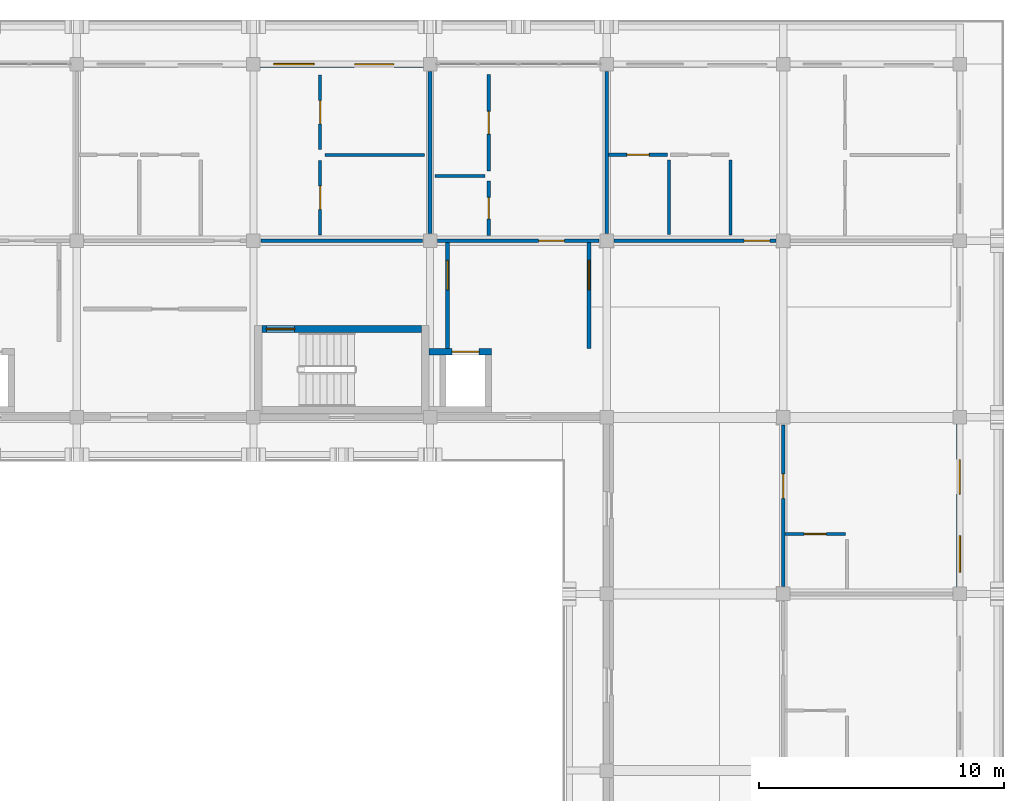
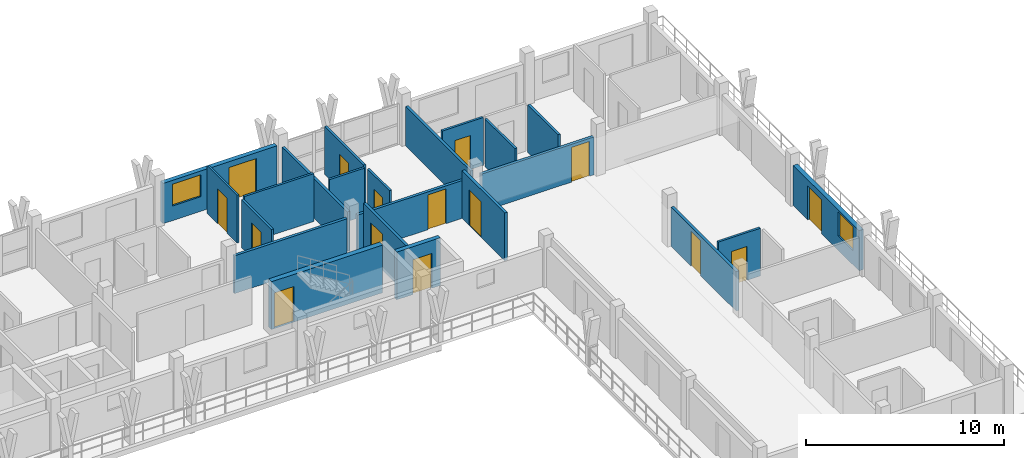
# One storey, part 51 of 65: 22 walls, 15 doors, 2 windows, 17 openings.
"""IFC4 building model written with IfcOpenShell, lengths in metres."""

from ifc_helpers import new_model, si_unit, direction, frame, frame_2d, origin, place, context, subcontext, project, spatial, rectangle, extrude, material, layer, layer_set, type_object, element, fill, save


model = new_model("IFC4")

# Units and contexts
model_context = context("Model", 3, precision=1e-05, world=origin(), true_north=direction((0.0, 1.0)))
body_context = subcontext(model_context, "Body", "Model", "MODEL_VIEW")
ifc_project = project(units=[si_unit("LENGTHUNIT", "METRE"), si_unit("AREAUNIT", "SQUARE_METRE"), si_unit("VOLUMEUNIT", "CUBIC_METRE"), si_unit("PLANEANGLEUNIT", "RADIAN"), si_unit("MASSUNIT", "GRAM", prefix="KILO")], contexts=[model_context])

# Site, building, storey
site_placement = place(None, origin())
site = spatial("IfcSite", under=ifc_project, at=site_placement, CompositionType="ELEMENT")
building_placement = place(site_placement, origin())
building = spatial("IfcBuilding", under=site, at=building_placement, Name="Suanplinth Sawtooth Commons", CompositionType="ELEMENT")
storey_placement = place(building_placement, frame((0.0, 0.0, 28.300048828125)))
storey = spatial("IfcBuildingStorey", under=building, at=storey_placement, Name="L08", CompositionType="ELEMENT", Elevation=28.300048828125)

# Wall, opening, door
ifc_material_1 = material(Name="Concrete C40/50", Category="concrete")
ifc_layer_1 = layer(ifc_material_1, 0.300048828125, Name="Standard RC stair and lift core wall 300mm")
ifc_layer_set_1 = layer_set([ifc_layer_1], Name="Concrete C40/50")
wall_type_1 = type_object("IfcWallType", Name="W-CR02", PredefinedType="SHEAR", material=ifc_layer_set_1)
wall_1_placement = place(storey_placement, frame((158.75, 111.60009765625, 0.0), z_axis=(0.0, 0.0, 1.0), x_axis=(1.0, 0.0, 0.0)))
wall_1 = element("IfcWall", 1, at=wall_1_placement, inside=storey, type_object=wall_type_1, Name="W-L08-C-B2-STN", PredefinedType="SHEAR", context=body_context, shape_type="SweptSolid", body=[
    extrude(rectangle(XDim=6.5, YDim=0.300048828125, at=frame_2d((3.25, 0.0))), origin(), (0.0, 0.0, 1.0), 2.949951171875),
])
opening_1_placement = place(wall_1_placement, frame((0.179931640625, 0.0, 0.0)))
opening_1 = element("IfcOpeningElement", 2, at=opening_1_placement, cuts=wall_1, Name="Opening FD0256", PredefinedType="OPENING", context=body_context, shape_type="SweptSolid", body=[
    extrude(rectangle(XDim=1.14990234375, YDim=2.199951171875, at=frame_2d((0.574951171875, 1.10009765625))), frame((0.0, 0.1650390625, 0.0), z_axis=(0.0, -1.0, 0.0), x_axis=(1.0, 0.0, 0.0)), (0.0, 0.0, 1.0), 0.329833984375),
])
ifc_material_2 = material(Name="Teak hardwood fire-rated door assembly", Category="wood")
door_type_1 = type_object("IfcDoorType", Name="FD-01", OperationType="NOTDEFINED", PredefinedType="DOOR", material=ifc_material_2)
door_1_placement = place(opening_1_placement, frame((1.14990234375, 0.0, 0.0), z_axis=(0.0, 0.0, 1.0), x_axis=(-1.0, 0.0, 0.0)))
door_1 = element("IfcDoor", 3, at=door_1_placement, inside=storey, type_object=door_type_1, Name="Exit Stair Fire Door FD0256", OperationType="SINGLE_SWING_RIGHT", OverallHeight=2.199951171875, OverallWidth=1.14990234375, PredefinedType="DOOR", context=body_context, shape_type="SweptSolid", body=[
    extrude(rectangle(XDim=1.14990234375, YDim=2.199951171875, at=frame_2d((0.574951171875, 1.10009765625))), frame((0.0, 0.02490234375, 0.0), z_axis=(0.0, -1.0, 0.0), x_axis=(1.0, 0.0, 0.0)), (0.0, 0.0, 1.0), 0.050048828125),
])
fill(opening_1, door_1)

# Wall, openings, door, window
ifc_material_3 = material(Name="Precast concrete C40/50", Category="concrete")
ifc_layer_2 = layer(ifc_material_3, 0.260009765625, Name="Insulated precast courtyard facade wall 260mm")
ifc_layer_set_2 = layer_set([ifc_layer_2], Name="Precast concrete C40/50")
wall_type_2 = type_object("IfcWallType", Name="W-EX02", PredefinedType="ELEMENTEDWALL", material=ifc_layer_set_2)
wall_2_placement = place(storey_placement, frame((158.675048828125, 122.39990234375, 0.0), z_axis=(0.0, 0.0, 1.0), x_axis=(1.0, 0.0, 0.0)))
wall_2 = element("IfcWall", 4, at=wall_2_placement, inside=storey, type_object=wall_type_2, Name="Facade Wall W-L08-B-N-22-16", PredefinedType="ELEMENTEDWALL", context=body_context, shape_type="SweptSolid", body=[
    extrude(rectangle(XDim=6.64990234375, YDim=0.260009765625, at=frame_2d((3.324951171875, 0.0))), origin(), (0.0, 0.0, 1.0), 2.48486328125),
])
opening_2_placement = place(wall_2_placement, frame((3.85009765625, 0.0, 0.0)))
opening_2 = element("IfcOpeningElement", 5, at=opening_2_placement, cuts=wall_2, Name="Opening ED0648", PredefinedType="OPENING", context=body_context, shape_type="SweptSolid", body=[
    extrude(rectangle(XDim=1.60009765625, YDim=2.1201171875, at=frame_2d((0.800048828125, 1.06005859375))), frame((0.0, 0.14501953125, 0.0), z_axis=(0.0, -1.0, 0.0), x_axis=(1.0, 0.0, 0.0)), (0.0, 0.0, 1.0), 0.289794921875),
])
opening_3_placement = place(wall_2_placement, frame((0.550048828125, 0.0, 0.89990234375)))
opening_3 = element("IfcOpeningElement", 6, at=opening_3_placement, cuts=wall_2, Name="Opening W0731", PredefinedType="OPENING", context=body_context, shape_type="SweptSolid", body=[
    extrude(rectangle(XDim=1.64990234375, YDim=1.35009765625, at=frame_2d((0.824951171875, 0.675048828125))), frame((0.0, 0.14501953125, 0.0), z_axis=(0.0, -1.0, 0.0), x_axis=(1.0, 0.0, 0.0)), (0.0, 0.0, 1.0), 0.289794921875),
])
ifc_material_4 = material(Name="Anodized aluminium and low-E glass", Category="aluminium")
door_type_2 = type_object("IfcDoorType", Name="SD-02", OperationType="SLIDING_TO_RIGHT", PredefinedType="DOOR", material=ifc_material_4)
door_2_placement = place(opening_2_placement, frame((1.60009765625, 0.0, 0.0), z_axis=(0.0, 0.0, 1.0), x_axis=(-1.0, 0.0, 0.0)))
door_2 = element("IfcDoor", 7, at=door_2_placement, inside=storey, type_object=door_type_2, Name="Balcony Sliding Door L08-B-22", OperationType="SLIDING_TO_RIGHT", OverallHeight=2.1201171875, OverallWidth=1.60009765625, PredefinedType="DOOR", context=body_context, shape_type="SweptSolid", body=[
    extrude(rectangle(XDim=1.60009765625, YDim=2.1201171875, at=frame_2d((0.800048828125, 1.06005859375))), frame((0.0, 0.02490234375, 0.0), z_axis=(0.0, -1.0, 0.0), x_axis=(1.0, 0.0, 0.0)), (0.0, 0.0, 1.0), 0.050048828125),
])
fill(opening_2, door_2)
ifc_material_5 = material(Name="Thermally broken aluminium and low-E double glazing", Category="aluminium")
window_type_1 = type_object("IfcWindowType", Name="WN-19", PartitioningType="DOUBLE_PANEL_VERTICAL", PredefinedType="WINDOW", material=ifc_material_5)
window_1_placement = place(opening_3_placement, origin())
window_1 = element("IfcWindow", 8, at=window_1_placement, inside=storey, type_object=window_type_1, Name="Apartment Window L08-B-22", OverallHeight=1.35009765625, OverallWidth=1.64990234375, PartitioningType="DOUBLE_PANEL_VERTICAL", PredefinedType="WINDOW", context=body_context, shape_type="SweptSolid", body=[
    extrude(rectangle(XDim=1.64990234375, YDim=1.35009765625, at=frame_2d((0.824951171875, 0.675048828125))), frame((0.0, 0.030029296875, 0.0), z_axis=(0.0, -1.0, 0.0), x_axis=(1.0, 0.0, 0.0)), (0.0, 0.0, 1.0), 0.06005859375),
])
fill(opening_3, window_1)

wall_3_placement = place(storey_placement, frame((187.199951171875, 101.074951171875, 0.0), z_axis=(0.0, 0.0, 1.0), x_axis=(0.0, 1.0, 0.0)))
wall_3 = element("IfcWall", 9, at=wall_3_placement, inside=storey, type_object=wall_type_2, Name="Facade Wall W-L08-B-E-25-14", PredefinedType="ELEMENTEDWALL", context=body_context, shape_type="SweptSolid", body=[
    extrude(rectangle(XDim=6.650146484375, YDim=0.260009765625, at=frame_2d((3.3251953125, 0.0))), origin(), (0.0, 0.0, 1.0), 2.48486328125),
])
opening_4_placement = place(wall_3_placement, frame((3.800048828125, 0.0, 0.0)))
opening_4 = element("IfcOpeningElement", 10, at=opening_4_placement, cuts=wall_3, Name="Opening ED0656", PredefinedType="OPENING", context=body_context, shape_type="SweptSolid", body=[
    extrude(rectangle(XDim=1.39990234375, YDim=2.10009765625, at=frame_2d((0.699951171875, 1.050048828125))), frame((0.0, 0.14501953125, 0.0), z_axis=(0.0, -1.0, 0.0), x_axis=(1.0, 0.0, 0.0)), (0.0, 0.0, 1.0), 0.289794921875),
])
opening_5_placement = place(wall_3_placement, frame((0.60009765625, 0.0, 0.875)))
opening_5 = element("IfcOpeningElement", 11, at=opening_5_placement, cuts=wall_3, Name="Opening W0737", PredefinedType="OPENING", context=body_context, shape_type="SweptSolid", body=[
    extrude(rectangle(XDim=1.5, YDim=1.5, at=frame_2d((0.75, 0.75))), frame((0.0, 0.14501953125, 0.0), z_axis=(0.0, -1.0, 0.0), x_axis=(1.0, 0.0, 0.0)), (0.0, 0.0, 1.0), 0.289794921875),
])
door_type_3 = type_object("IfcDoorType", Name="SD-07", OperationType="SLIDING_TO_RIGHT", PredefinedType="DOOR", material=ifc_material_4)
door_3_placement = place(opening_4_placement, frame((1.39990234375, 0.0, 0.0), z_axis=(0.0, 0.0, 1.0), x_axis=(-1.0, 0.0, 0.0)))
door_3 = element("IfcDoor", 12, at=door_3_placement, inside=storey, type_object=door_type_3, Name="Wing Balcony Sliding Door L08-B-14", OperationType="SLIDING_TO_RIGHT", OverallHeight=2.10009765625, OverallWidth=1.39990234375, PredefinedType="DOOR", context=body_context, shape_type="SweptSolid", body=[
    extrude(rectangle(XDim=1.39990234375, YDim=2.10009765625, at=frame_2d((0.699951171875, 1.050048828125))), frame((0.0, 0.02490234375, 0.0), z_axis=(0.0, -1.0, 0.0), x_axis=(1.0, 0.0, 0.0)), (0.0, 0.0, 1.0), 0.050048828125),
])
fill(opening_4, door_3)
window_type_2 = type_object("IfcWindowType", Name="WN-02", PartitioningType="DOUBLE_PANEL_VERTICAL", PredefinedType="WINDOW", material=ifc_material_5)
window_2_placement = place(opening_5_placement, origin())
window_2 = element("IfcWindow", 13, at=window_2_placement, inside=storey, type_object=window_type_2, Name="Wing Window L08-B-14", OverallHeight=1.5, OverallWidth=1.5, PartitioningType="DOUBLE_PANEL_VERTICAL", PredefinedType="WINDOW", context=body_context, shape_type="SweptSolid", body=[
    extrude(rectangle(XDim=1.5, YDim=1.5, at=frame_2d((0.75, 0.75))), frame((0.0, 0.030029296875, 0.0), z_axis=(0.0, -1.0, 0.0), x_axis=(1.0, 0.0, 0.0)), (0.0, 0.0, 1.0), 0.06005859375),
])
fill(opening_5, window_2)

# Wall, opening, door
ifc_layer_3 = layer(ifc_material_3, 0.159912109375, Name="Fire-rated corridor and lobby wall 160mm")
ifc_layer_set_3 = layer_set([ifc_layer_3], Name="Precast concrete C40/50")
wall_type_3 = type_object("IfcWallType", Name="W-FW01", PredefinedType="PARTITIONING", material=ifc_layer_set_3)
wall_4_placement = place(storey_placement, frame((166.320068359375, 110.800048828125, 0.0), z_axis=(0.0, 0.0, 1.0), x_axis=(0.0, 1.0, 0.0)))
wall_4 = element("IfcWall", 14, at=wall_4_placement, inside=storey, type_object=wall_type_3, Name="W-L08-C-B2-LOB-W", PredefinedType="PARTITIONING", context=body_context, shape_type="SweptSolid", body=[
    extrude(rectangle(XDim=4.320068359375, YDim=0.159912109375, at=frame_2d((2.16015625, 0.0))), origin(), (0.0, 0.0, 1.0), 2.949951171875),
])
opening_6_placement = place(wall_4_placement, frame((2.39990234375, 0.0, 0.0)))
opening_6 = element("IfcOpeningElement", 15, at=opening_6_placement, cuts=wall_4, Name="Opening FD0257", PredefinedType="OPENING", context=body_context, shape_type="SweptSolid", body=[
    extrude(rectangle(XDim=1.199951171875, YDim=2.199951171875, at=frame_2d((0.60009765625, 1.10009765625))), frame((0.0, 0.0947265625, 0.0), z_axis=(0.0, -1.0, 0.0), x_axis=(1.0, 0.0, 0.0)), (0.0, 0.0, 1.0), 0.189697265625),
])
door_type_4 = type_object("IfcDoorType", Name="FD-02", OperationType="NOTDEFINED", PredefinedType="DOOR", material=ifc_material_2)
door_4_placement = place(opening_6_placement, origin())
door_4 = element("IfcDoor", 16, at=door_4_placement, inside=storey, type_object=door_type_4, Name="Lobby Fire Door FD0257", OperationType="SINGLE_SWING_LEFT", OverallHeight=2.199951171875, OverallWidth=1.199951171875, PredefinedType="DOOR", context=body_context, shape_type="SweptSolid", body=[
    extrude(rectangle(XDim=1.199951171875, YDim=2.199951171875, at=frame_2d((0.60009765625, 1.10009765625))), frame((0.0, 0.02490234375, 0.0), z_axis=(0.0, -1.0, 0.0), x_axis=(1.0, 0.0, 0.0)), (0.0, 0.0, 1.0), 0.050048828125),
])
fill(opening_6, door_4)

wall_5_placement = place(storey_placement, frame((172.080078125, 110.800048828125, 0.0), z_axis=(0.0, 0.0, 1.0), x_axis=(0.0, 1.0, 0.0)))
wall_5 = element("IfcWall", 17, at=wall_5_placement, inside=storey, type_object=wall_type_3, Name="W-L08-C-B2-LOB-E", PredefinedType="PARTITIONING", context=body_context, shape_type="SweptSolid", body=[
    extrude(rectangle(XDim=4.320068359375, YDim=0.159912109375, at=frame_2d((2.16015625, 0.0))), origin(), (0.0, 0.0, 1.0), 2.949951171875),
])
opening_7_placement = place(wall_5_placement, frame((2.39990234375, 0.0, 0.0)))
opening_7 = element("IfcOpeningElement", 18, at=opening_7_placement, cuts=wall_5, Name="Opening FD0258", PredefinedType="OPENING", context=body_context, shape_type="SweptSolid", body=[
    extrude(rectangle(XDim=1.199951171875, YDim=2.199951171875, at=frame_2d((0.60009765625, 1.10009765625))), frame((0.0, 0.0947265625, 0.0), z_axis=(0.0, -1.0, 0.0), x_axis=(1.0, 0.0, 0.0)), (0.0, 0.0, 1.0), 0.189697265625),
])
door_5_placement = place(opening_7_placement, frame((1.199951171875, 0.0, 0.0), z_axis=(0.0, 0.0, 1.0), x_axis=(-1.0, 0.0, 0.0)))
door_5 = element("IfcDoor", 19, at=door_5_placement, inside=storey, type_object=door_type_4, Name="Lobby Fire Door FD0258", OperationType="SINGLE_SWING_RIGHT", OverallHeight=2.199951171875, OverallWidth=1.199951171875, PredefinedType="DOOR", context=body_context, shape_type="SweptSolid", body=[
    extrude(rectangle(XDim=1.199951171875, YDim=2.199951171875, at=frame_2d((0.60009765625, 1.10009765625))), frame((0.0, 0.02490234375, 0.0), z_axis=(0.0, -1.0, 0.0), x_axis=(1.0, 0.0, 0.0)), (0.0, 0.0, 1.0), 0.050048828125),
])
fill(opening_7, door_5)

# Wall
wall_6_placement = place(storey_placement, frame((158.705078125, 115.199951171875, 0.0), z_axis=(0.0, 0.0, 1.0), x_axis=(1.0, 0.0, 0.0)))
element("IfcWall", 20, at=wall_6_placement, inside=storey, type_object=wall_type_3, Name="W-B-L08-U03-COR-S2", PredefinedType="PARTITIONING", context=body_context, shape_type="SweptSolid", body=[
    extrude(rectangle(XDim=6.58984375, YDim=0.159912109375, at=frame_2d((3.294921875, 0.0))), origin(), (0.0, 0.0, 1.0), 2.3349609375),
])

# Wall, opening, door
wall_7_placement = place(storey_placement, frame((165.905029296875, 115.199951171875, 0.0), z_axis=(0.0, 0.0, 1.0), x_axis=(1.0, 0.0, 0.0)))
wall_7 = element("IfcWall", 21, at=wall_7_placement, inside=storey, type_object=wall_type_3, Name="W-B-L08-U04-COR", PredefinedType="PARTITIONING", context=body_context, shape_type="SweptSolid", body=[
    extrude(rectangle(XDim=6.590087890625, YDim=0.159912109375, at=frame_2d((3.294921875, 0.0))), origin(), (0.0, 0.0, 1.0), 2.3349609375),
])
opening_8_placement = place(wall_7_placement, frame((4.1201171875, 0.0, 0.0)))
opening_8 = element("IfcOpeningElement", 22, at=opening_8_placement, cuts=wall_7, Name="Opening FD1682", PredefinedType="OPENING", context=body_context, shape_type="SweptSolid", body=[
    extrude(rectangle(XDim=1.050048828125, YDim=2.14990234375, at=frame_2d((0.52490234375, 1.074951171875))), frame((0.0, 0.0947265625, 0.0), z_axis=(0.0, -1.0, 0.0), x_axis=(1.0, 0.0, 0.0)), (0.0, 0.0, 1.0), 0.189697265625),
])
door_type_5 = type_object("IfcDoorType", Name="FD-04", OperationType="NOTDEFINED", PredefinedType="DOOR", material=ifc_material_2)
door_6_placement = place(opening_8_placement, origin())
door_6 = element("IfcDoor", 23, at=door_6_placement, inside=storey, type_object=door_type_5, Name="Unit Entrance Door FD1682", OperationType="SINGLE_SWING_RIGHT", OverallHeight=2.14990234375, OverallWidth=1.050048828125, PredefinedType="DOOR", context=body_context, shape_type="SweptSolid", body=[
    extrude(rectangle(XDim=1.050048828125, YDim=2.14990234375, at=frame_2d((0.52490234375, 1.074951171875))), frame((0.0, 0.02490234375, 0.0), z_axis=(0.0, -1.0, 0.0), x_axis=(1.0, 0.0, 0.0)), (0.0, 0.0, 1.0), 0.050048828125),
])
fill(opening_8, door_6)

wall_8_placement = place(storey_placement, frame((173.10498046875, 115.199951171875, 0.0), z_axis=(0.0, 0.0, 1.0), x_axis=(1.0, 0.0, 0.0)))
wall_8 = element("IfcWall", 24, at=wall_8_placement, inside=storey, type_object=wall_type_3, Name="W-B-L08-U05-COR-S1", PredefinedType="PARTITIONING", context=body_context, shape_type="SweptSolid", body=[
    extrude(rectangle(XDim=6.590087890625, YDim=0.159912109375, at=frame_2d((3.294921875, 0.0))), origin(), (0.0, 0.0, 1.0), 2.3349609375),
])
opening_9_placement = place(wall_8_placement, frame((5.300048828125, 0.0, 0.0)))
opening_9 = element("IfcOpeningElement", 25, at=opening_9_placement, cuts=wall_8, Name="Opening FD1685", PredefinedType="OPENING", context=body_context, shape_type="SweptSolid", body=[
    extrude(rectangle(XDim=1.050048828125, YDim=2.14990234375, at=frame_2d((0.52490234375, 1.074951171875))), frame((0.0, 0.0947265625, 0.0), z_axis=(0.0, -1.0, 0.0), x_axis=(1.0, 0.0, 0.0)), (0.0, 0.0, 1.0), 0.189697265625),
])
door_7_placement = place(opening_9_placement, origin())
door_7 = element("IfcDoor", 26, at=door_7_placement, inside=storey, type_object=door_type_5, Name="Unit Entrance Door FD1685", OperationType="SINGLE_SWING_LEFT", OverallHeight=2.14990234375, OverallWidth=1.050048828125, PredefinedType="DOOR", context=body_context, shape_type="SweptSolid", body=[
    extrude(rectangle(XDim=1.050048828125, YDim=2.14990234375, at=frame_2d((0.52490234375, 1.074951171875))), frame((0.0, 0.02490234375, 0.0), z_axis=(0.0, -1.0, 0.0), x_axis=(1.0, 0.0, 0.0)), (0.0, 0.0, 1.0), 0.050048828125),
])
fill(opening_9, door_7)

wall_9_placement = place(storey_placement, frame((180.0, 101.10498046875, 0.0), z_axis=(0.0, 0.0, 1.0), x_axis=(0.0, 1.0, 0.0)))
wall_9 = element("IfcWall", 27, at=wall_9_placement, inside=storey, type_object=wall_type_3, Name="W-B-L08-L03-COR", PredefinedType="PARTITIONING", context=body_context, shape_type="SweptSolid", body=[
    extrude(rectangle(XDim=6.590087890625, YDim=0.159912109375, at=frame_2d((3.294921875, 0.0))), origin(), (0.0, 0.0, 1.0), 2.43505859375),
])
opening_10_placement = place(wall_9_placement, frame((3.594970703125, 0.0, 0.0)))
opening_10 = element("IfcOpeningElement", 28, at=opening_10_placement, cuts=wall_9, Name="Opening FD1698", PredefinedType="OPENING", context=body_context, shape_type="SweptSolid", body=[
    extrude(rectangle(XDim=1.0, YDim=2.14990234375, at=frame_2d((0.5, 1.074951171875))), frame((0.0, 0.0947265625, 0.0), z_axis=(0.0, -1.0, 0.0), x_axis=(1.0, 0.0, 0.0)), (0.0, 0.0, 1.0), 0.189697265625),
])
door_type_6 = type_object("IfcDoorType", Name="FD-03", OperationType="NOTDEFINED", PredefinedType="DOOR", material=ifc_material_2)
door_8_placement = place(opening_10_placement, frame((1.0, 0.0, 0.0), z_axis=(0.0, 0.0, 1.0), x_axis=(-1.0, 0.0, 0.0)))
door_8 = element("IfcDoor", 29, at=door_8_placement, inside=storey, type_object=door_type_6, Name="Wing Unit Entrance Door FD1698", OperationType="SINGLE_SWING_RIGHT", OverallHeight=2.14990234375, OverallWidth=1.0, PredefinedType="DOOR", context=body_context, shape_type="SweptSolid", body=[
    extrude(rectangle(XDim=1.0, YDim=2.14990234375, at=frame_2d((0.5, 1.074951171875))), frame((0.0, 0.02490234375, 0.0), z_axis=(0.0, -1.0, 0.0), x_axis=(1.0, 0.0, 0.0)), (0.0, 0.0, 1.0), 0.050048828125),
])
fill(opening_10, door_8)

# Walls
ifc_layer_4 = layer(ifc_material_3, 0.14990234375, Name="Acoustic precast party demising wall 150mm")
ifc_layer_set_4 = layer_set([ifc_layer_4], Name="Precast concrete C40/50")
wall_type_4 = type_object("IfcWallType", Name="W-FW02", PredefinedType="PARTITIONING", material=ifc_layer_set_4)
for number, where, z_axis, x_axis, name in (
    (30, (165.60009765625, 115.5048828125, 0.0), (0.0, 0.0, 1.0), (0.0, 1.0, 0.0), "W-B-L08-U03-PTY"),
    (31, (172.800048828125, 115.5048828125, 0.0), (0.0, 0.0, 1.0), (0.0, 1.0, 0.0), "W-B-L08-U04-PTY"),
):
    element("IfcWall", number, at=place(storey_placement, frame(where, z_axis=z_axis, x_axis=x_axis)), inside=storey, type_object=wall_type_4, Name=name, PredefinedType="PARTITIONING", context=body_context, shape_type="SweptSolid", body=[
        extrude(rectangle(XDim=6.590087890625, YDim=0.14990234375, at=frame_2d((3.294921875, 0.0))), origin(), (0.0, 0.0, 1.0), 2.43505859375),
    ])

# Wall, opening, door
ifc_material_6 = material(Name="Gypsum plasterboard on steel stud", Category="steel")
ifc_layer_5 = layer(ifc_material_6, 0.139892578125, Name="Fire-rated kitchen partition 140mm")
ifc_layer_set_5 = layer_set([ifc_layer_5], Name="Gypsum plasterboard on steel stud")
wall_type_5 = type_object("IfcWallType", Name="W-PT01", PredefinedType="PARTITIONING", material=ifc_layer_set_5)
wall_10_placement = place(storey_placement, frame((167.9951171875, 118.0400390625, 0.0), z_axis=(0.0, 0.0, 1.0), x_axis=(0.0, 1.0, 0.0)))
wall_10 = element("IfcWall", 32, at=wall_10_placement, inside=storey, type_object=wall_type_5, Name="W-B-L08-U04-KITE", PredefinedType="PARTITIONING", context=body_context, shape_type="SweptSolid", body=[
    extrude(rectangle(XDim=3.93994140625, YDim=0.139892578125, at=frame_2d((1.969970703125, 0.0))), origin(), (0.0, 0.0, 1.0), 2.949951171875),
])
opening_11_placement = place(wall_10_placement, frame((1.5048828125, 0.0, 0.0)))
opening_11 = element("IfcOpeningElement", 33, at=opening_11_placement, cuts=wall_10, Name="Opening D1684", PredefinedType="OPENING", context=body_context, shape_type="SweptSolid", body=[
    extrude(rectangle(XDim=0.929931640625, YDim=2.139892578125, at=frame_2d((0.46484375, 1.06982421875))), frame((0.0, 0.0849609375, 0.0), z_axis=(0.0, -1.0, 0.0), x_axis=(1.0, 0.0, 0.0)), (0.0, 0.0, 1.0), 0.169677734375),
])
ifc_material_7 = material(Name="Teak hardwood", Category="wood")
door_type_7 = type_object("IfcDoorType", Name="D-19", OperationType="NOTDEFINED", PredefinedType="DOOR", material=ifc_material_7)
door_9_placement = place(opening_11_placement, origin())
door_9 = element("IfcDoor", 34, at=door_9_placement, inside=storey, type_object=door_type_7, Name="Kitchen Door D1684", OperationType="SINGLE_SWING_RIGHT", OverallHeight=2.139892578125, OverallWidth=0.929931640625, PredefinedType="DOOR", context=body_context, shape_type="SweptSolid", body=[
    extrude(rectangle(XDim=0.929931640625, YDim=2.139892578125, at=frame_2d((0.46484375, 1.06982421875))), frame((0.0, 0.02490234375, 0.0), z_axis=(0.0, -1.0, 0.0), x_axis=(1.0, 0.0, 0.0)), (0.0, 0.0, 1.0), 0.050048828125),
])
fill(opening_11, door_9)

# Walls
wall_11_placement = place(storey_placement, frame((177.85009765625, 115.429931640625, 0.0), z_axis=(0.0, 0.0, 1.0), x_axis=(0.0, 1.0, 0.0)))
element("IfcWall", 35, at=wall_11_placement, inside=storey, type_object=wall_type_5, Name="W-B-L08-U05-KIT2", PredefinedType="PARTITIONING", context=body_context, shape_type="SweptSolid", body=[
    extrude(rectangle(XDim=3.06005859375, YDim=0.139892578125, at=frame_2d((1.530029296875, 0.0))), origin(), (0.0, 0.0, 1.0), 2.949951171875),
])
ifc_layer_6 = layer(ifc_material_6, 0.1298828125, Name="Moisture-resistant bathroom partition 130mm")
ifc_layer_set_6 = layer_set([ifc_layer_6], Name="Gypsum plasterboard on steel stud")
wall_type_6 = type_object("IfcWallType", Name="W-PT02", PredefinedType="PARTITIONING", material=ifc_layer_set_6)
wall_12_placement = place(storey_placement, frame((165.800048828125, 117.840087890625, 0.0), z_axis=(0.0, 0.0, 1.0), x_axis=(1.0, 0.0, 0.0)))
element("IfcWall", 36, at=wall_12_placement, inside=storey, type_object=wall_type_6, Name="W-B-L08-U04-STDIV", PredefinedType="PARTITIONING", context=body_context, shape_type="SweptSolid", body=[
    extrude(rectangle(XDim=2.050048828125, YDim=0.1298828125, at=frame_2d((1.02490234375, 0.0))), origin(), (0.0, 0.0, 1.0), 2.949951171875),
])

# Wall, opening, door
wall_13_placement = place(storey_placement, frame((167.9951171875, 115.419921875, 0.0), z_axis=(0.0, 0.0, 1.0), x_axis=(0.0, 1.0, 0.0)))
wall_13 = element("IfcWall", 37, at=wall_13_placement, inside=storey, type_object=wall_type_6, Name="W-B-L08-U04-BTHE", PredefinedType="PARTITIONING", context=body_context, shape_type="SweptSolid", body=[
    extrude(rectangle(XDim=2.219970703125, YDim=0.1298828125, at=frame_2d((1.10986328125, 0.0))), origin(), (0.0, 0.0, 1.0), 2.949951171875),
])
opening_12_placement = place(wall_13_placement, frame((0.669921875, 0.0, 0.0)))
opening_12 = element("IfcOpeningElement", 38, at=opening_12_placement, cuts=wall_13, Name="Opening D1683", PredefinedType="OPENING", context=body_context, shape_type="SweptSolid", body=[
    extrude(rectangle(XDim=0.8798828125, YDim=2.10009765625, at=frame_2d((0.43994140625, 1.050048828125))), frame((0.0, 0.079833984375, 0.0), z_axis=(0.0, -1.0, 0.0), x_axis=(1.0, 0.0, 0.0)), (0.0, 0.0, 1.0), 0.15966796875),
])
door_type_8 = type_object("IfcDoorType", Name="D-14", OperationType="NOTDEFINED", PredefinedType="DOOR", material=ifc_material_7)
door_10_placement = place(opening_12_placement, origin())
door_10 = element("IfcDoor", 39, at=door_10_placement, inside=storey, type_object=door_type_8, Name="Bathroom Door D1683", OperationType="SINGLE_SWING_LEFT", OverallHeight=2.10009765625, OverallWidth=0.8798828125, PredefinedType="DOOR", context=body_context, shape_type="SweptSolid", body=[
    extrude(rectangle(XDim=0.8798828125, YDim=2.10009765625, at=frame_2d((0.43994140625, 1.050048828125))), frame((0.0, 0.02490234375, 0.0), z_axis=(0.0, -1.0, 0.0), x_axis=(1.0, 0.0, 0.0)), (0.0, 0.0, 1.0), 0.050048828125),
])
fill(opening_12, door_10)

wall_14_placement = place(storey_placement, frame((172.8798828125, 118.705078125, 0.0), z_axis=(0.0, 0.0, 1.0), x_axis=(1.0, 0.0, 0.0)))
wall_14 = element("IfcWall", 40, at=wall_14_placement, inside=storey, type_object=wall_type_6, Name="W-B-L08-U05-BTH1", PredefinedType="PARTITIONING", context=body_context, shape_type="SweptSolid", body=[
    extrude(rectangle(XDim=2.400146484375, YDim=0.1298828125, at=frame_2d((1.2001953125, 0.0))), origin(), (0.0, 0.0, 1.0), 2.949951171875),
])
opening_13_placement = place(wall_14_placement, frame((0.75, 0.0, 0.0)))
opening_13 = element("IfcOpeningElement", 41, at=opening_13_placement, cuts=wall_14, Name="Opening D1686", PredefinedType="OPENING", context=body_context, shape_type="SweptSolid", body=[
    extrude(rectangle(XDim=0.89990234375, YDim=2.10009765625, at=frame_2d((0.449951171875, 1.050048828125))), frame((0.0, 0.079833984375, 0.0), z_axis=(0.0, -1.0, 0.0), x_axis=(1.0, 0.0, 0.0)), (0.0, 0.0, 1.0), 0.15966796875),
])
door_type_9 = type_object("IfcDoorType", Name="D-01", OperationType="NOTDEFINED", PredefinedType="DOOR", material=ifc_material_7)
door_11_placement = place(opening_13_placement, frame((0.89990234375, 0.0, 0.0), z_axis=(0.0, 0.0, 1.0), x_axis=(-1.0, 0.0, 0.0)))
door_11 = element("IfcDoor", 42, at=door_11_placement, inside=storey, type_object=door_type_9, Name="Bathroom Door D1686", OperationType="SINGLE_SWING_RIGHT", OverallHeight=2.10009765625, OverallWidth=0.89990234375, PredefinedType="DOOR", context=body_context, shape_type="SweptSolid", body=[
    extrude(rectangle(XDim=0.89990234375, YDim=2.10009765625, at=frame_2d((0.449951171875, 1.050048828125))), frame((0.0, 0.02490234375, 0.0), z_axis=(0.0, -1.0, 0.0), x_axis=(1.0, 0.0, 0.0)), (0.0, 0.0, 1.0), 0.050048828125),
])
fill(opening_13, door_11)

# Wall
wall_15_placement = place(storey_placement, frame((175.344970703125, 115.4599609375, 0.0), z_axis=(0.0, 0.0, 1.0), x_axis=(0.0, 1.0, 0.0)))
element("IfcWall", 43, at=wall_15_placement, inside=storey, type_object=wall_type_6, Name="W-B-L08-U05-BTH2", PredefinedType="PARTITIONING", context=body_context, shape_type="SweptSolid", body=[
    extrude(rectangle(XDim=3.0400390625, YDim=0.1298828125, at=frame_2d((1.52001953125, 0.0))), origin(), (0.0, 0.0, 1.0), 2.949951171875),
])

# Wall, opening, door
wall_16_placement = place(storey_placement, frame((180.080078125, 103.2451171875, 0.0), z_axis=(0.0, 0.0, 1.0), x_axis=(1.0, 0.0, 0.0)))
wall_16 = element("IfcWall", 44, at=wall_16_placement, inside=storey, type_object=wall_type_6, Name="W-B-L08-L03-BTH1", PredefinedType="PARTITIONING", context=body_context, shape_type="SweptSolid", body=[
    extrude(rectangle(XDim=2.449951171875, YDim=0.1298828125, at=frame_2d((1.22509765625, 0.0))), origin(), (0.0, 0.0, 1.0), 2.949951171875),
])
opening_14_placement = place(wall_16_placement, frame((0.77490234375, 0.0, 0.0)))
opening_14 = element("IfcOpeningElement", 45, at=opening_14_placement, cuts=wall_16, Name="Opening D1699", PredefinedType="OPENING", context=body_context, shape_type="SweptSolid", body=[
    extrude(rectangle(XDim=0.89990234375, YDim=2.10009765625, at=frame_2d((0.449951171875, 1.050048828125))), frame((0.0, 0.079833984375, 0.0), z_axis=(0.0, -1.0, 0.0), x_axis=(1.0, 0.0, 0.0)), (0.0, 0.0, 1.0), 0.15966796875),
])
door_12_placement = place(opening_14_placement, frame((0.89990234375, 0.0, 0.0), z_axis=(0.0, 0.0, 1.0), x_axis=(-1.0, 0.0, 0.0)))
door_12 = element("IfcDoor", 46, at=door_12_placement, inside=storey, type_object=door_type_9, Name="Bathroom Door D1699", OperationType="SINGLE_SWING_LEFT", OverallHeight=2.10009765625, OverallWidth=0.89990234375, PredefinedType="DOOR", context=body_context, shape_type="SweptSolid", body=[
    extrude(rectangle(XDim=0.89990234375, YDim=2.10009765625, at=frame_2d((0.449951171875, 1.050048828125))), frame((0.0, 0.02490234375, 0.0), z_axis=(0.0, -1.0, 0.0), x_axis=(1.0, 0.0, 0.0)), (0.0, 0.0, 1.0), 0.050048828125),
])
fill(opening_14, door_12)

ifc_layer_7 = layer(ifc_material_6, 0.1201171875, Name="Acoustic bedroom partition 120mm")
ifc_layer_set_7 = layer_set([ifc_layer_7], Name="Gypsum plasterboard on steel stud")
wall_type_7 = type_object("IfcWallType", Name="W-PT03", PredefinedType="PARTITIONING", material=ifc_layer_set_7)
wall_17_placement = place(storey_placement, frame((161.1201171875, 118.919921875, 0.0), z_axis=(0.0, 0.0, 1.0), x_axis=(0.0, 1.0, 0.0)))
wall_17 = element("IfcWall", 47, at=wall_17_placement, inside=storey, type_object=wall_type_7, Name="W-B-L08-U03-BED1", PredefinedType="PARTITIONING", context=body_context, shape_type="SweptSolid", body=[
    extrude(rectangle(XDim=3.0400390625, YDim=0.1201171875, at=frame_2d((1.52001953125, 0.0))), origin(), (0.0, 0.0, 1.0), 2.949951171875),
])
opening_15_placement = place(wall_17_placement, frame((1.044921875, 0.0, 0.0)))
opening_15 = element("IfcOpeningElement", 48, at=opening_15_placement, cuts=wall_17, Name="Opening D1680", PredefinedType="OPENING", context=body_context, shape_type="SweptSolid", body=[
    extrude(rectangle(XDim=0.949951171875, YDim=2.14990234375, at=frame_2d((0.47509765625, 1.074951171875))), frame((0.0, 0.074951171875, 0.0), z_axis=(0.0, -1.0, 0.0), x_axis=(1.0, 0.0, 0.0)), (0.0, 0.0, 1.0), 0.14990234375),
])
door_type_10 = type_object("IfcDoorType", Name="D-03", OperationType="NOTDEFINED", PredefinedType="DOOR", material=ifc_material_7)
door_13_placement = place(opening_15_placement, frame((0.949951171875, 0.0, 0.0), z_axis=(0.0, 0.0, 1.0), x_axis=(-1.0, 0.0, 0.0)))
door_13 = element("IfcDoor", 49, at=door_13_placement, inside=storey, type_object=door_type_10, Name="Bedroom Door D1680", OperationType="SINGLE_SWING_RIGHT", OverallHeight=2.14990234375, OverallWidth=0.949951171875, PredefinedType="DOOR", context=body_context, shape_type="SweptSolid", body=[
    extrude(rectangle(XDim=0.949951171875, YDim=2.14990234375, at=frame_2d((0.47509765625, 1.074951171875))), frame((0.0, 0.02490234375, 0.0), z_axis=(0.0, -1.0, 0.0), x_axis=(1.0, 0.0, 0.0)), (0.0, 0.0, 1.0), 0.050048828125),
])
fill(opening_15, door_13)

wall_18_placement = place(storey_placement, frame((161.1201171875, 115.43994140625, 0.0), z_axis=(0.0, 0.0, 1.0), x_axis=(0.0, 1.0, 0.0)))
wall_18 = element("IfcWall", 50, at=wall_18_placement, inside=storey, type_object=wall_type_7, Name="W-B-L08-U03-BED2", PredefinedType="PARTITIONING", context=body_context, shape_type="SweptSolid", body=[
    extrude(rectangle(XDim=3.0400390625, YDim=0.1201171875, at=frame_2d((1.52001953125, 0.0))), origin(), (0.0, 0.0, 1.0), 2.949951171875),
])
opening_16_placement = place(wall_18_placement, frame((1.0400390625, 0.0, 0.0)))
opening_16 = element("IfcOpeningElement", 51, at=opening_16_placement, cuts=wall_18, Name="Opening D1681", PredefinedType="OPENING", context=body_context, shape_type="SweptSolid", body=[
    extrude(rectangle(XDim=0.9599609375, YDim=2.14990234375, at=frame_2d((0.47998046875, 1.074951171875))), frame((0.0, 0.074951171875, 0.0), z_axis=(0.0, -1.0, 0.0), x_axis=(1.0, 0.0, 0.0)), (0.0, 0.0, 1.0), 0.14990234375),
])
door_type_11 = type_object("IfcDoorType", Name="D-13", OperationType="NOTDEFINED", PredefinedType="DOOR", material=ifc_material_7)
door_14_placement = place(opening_16_placement, frame((0.9599609375, 0.0, 0.0), z_axis=(0.0, 0.0, 1.0), x_axis=(-1.0, 0.0, 0.0)))
door_14 = element("IfcDoor", 52, at=door_14_placement, inside=storey, type_object=door_type_11, Name="Second Bedroom Door D1681", OperationType="SINGLE_SWING_LEFT", OverallHeight=2.14990234375, OverallWidth=0.9599609375, PredefinedType="DOOR", context=body_context, shape_type="SweptSolid", body=[
    extrude(rectangle(XDim=0.9599609375, YDim=2.14990234375, at=frame_2d((0.47998046875, 1.074951171875))), frame((0.0, 0.02490234375, 0.0), z_axis=(0.0, -1.0, 0.0), x_axis=(1.0, 0.0, 0.0)), (0.0, 0.0, 1.0), 0.050048828125),
])
fill(opening_16, door_14)

# Wall
ifc_layer_8 = layer(ifc_material_6, 0.125, Name="Acoustic study partition 125mm")
ifc_layer_set_8 = layer_set([ifc_layer_8], Name="Gypsum plasterboard on steel stud")
wall_type_8 = type_object("IfcWallType", Name="W-PT06", PredefinedType="PARTITIONING", material=ifc_layer_set_8)
wall_19_placement = place(storey_placement, frame((161.320068359375, 118.699951171875, 0.0), z_axis=(0.0, 0.0, 1.0), x_axis=(1.0, 0.0, 0.0)))
element("IfcWall", 53, at=wall_19_placement, inside=storey, type_object=wall_type_8, Name="W-B-L08-U03-BEDDIV", PredefinedType="PARTITIONING", context=body_context, shape_type="SweptSolid", body=[
    extrude(rectangle(XDim=4.059814453125, YDim=0.125, at=frame_2d((2.02978515625, 0.0))), origin(), (0.0, 0.0, 1.0), 2.949951171875),
])

# Wall, opening, door
ifc_layer_9 = layer(ifc_material_3, 0.25, Name="Precast structural shear wall 250mm")
ifc_layer_set_9 = layer_set([ifc_layer_9], Name="Precast concrete C40/50")
wall_type_9 = type_object("IfcWallType", Name="W-SH01", PredefinedType="SHEAR", material=ifc_layer_set_9)
wall_20_placement = place(storey_placement, frame((165.550048828125, 110.675048828125, 0.0), z_axis=(0.0, 0.0, 1.0), x_axis=(1.0, 0.0, 0.0)))
wall_20 = element("IfcWall", 54, at=wall_20_placement, inside=storey, type_object=wall_type_9, Name="W-L08-LF4-N", PredefinedType="SHEAR", context=body_context, shape_type="SweptSolid", body=[
    extrude(rectangle(XDim=2.550048828125, YDim=0.25, at=frame_2d((1.27490234375, 0.0))), origin(), (0.0, 0.0, 1.0), 2.949951171875),
])
opening_17_placement = place(wall_20_placement, frame((0.949951171875, 0.0, 0.0)))
opening_17 = element("IfcOpeningElement", 55, at=opening_17_placement, cuts=wall_20, Name="Opening LD0259", PredefinedType="OPENING", context=body_context, shape_type="SweptSolid", body=[
    extrude(rectangle(XDim=1.10009765625, YDim=2.14990234375, at=frame_2d((0.550048828125, 1.074951171875))), frame((0.0, 0.139892578125, 0.0), z_axis=(0.0, -1.0, 0.0), x_axis=(1.0, 0.0, 0.0)), (0.0, 0.0, 1.0), 0.27978515625),
])
ifc_material_8 = material(Name="Stainless steel Grade 304", Category="steel")
door_type_12 = type_object("IfcDoorType", Name="LD-01", OperationType="SLIDING_TO_LEFT", PredefinedType="DOOR", material=ifc_material_8)
door_15_placement = place(opening_17_placement, origin())
door_15 = element("IfcDoor", 56, at=door_15_placement, inside=storey, type_object=door_type_12, Name="Lift Landing Sliding Door LF4 L08", OperationType="SLIDING_TO_LEFT", OverallHeight=2.14990234375, OverallWidth=1.10009765625, PredefinedType="DOOR", context=body_context, shape_type="SweptSolid", body=[
    extrude(rectangle(XDim=1.10009765625, YDim=2.14990234375, at=frame_2d((0.550048828125, 1.074951171875))), frame((0.0, 0.02490234375, 0.0), z_axis=(0.0, -1.0, 0.0), x_axis=(1.0, 0.0, 0.0)), (0.0, 0.0, 1.0), 0.050048828125),
])
fill(opening_17, door_15)

save(model, "model.ifc")
